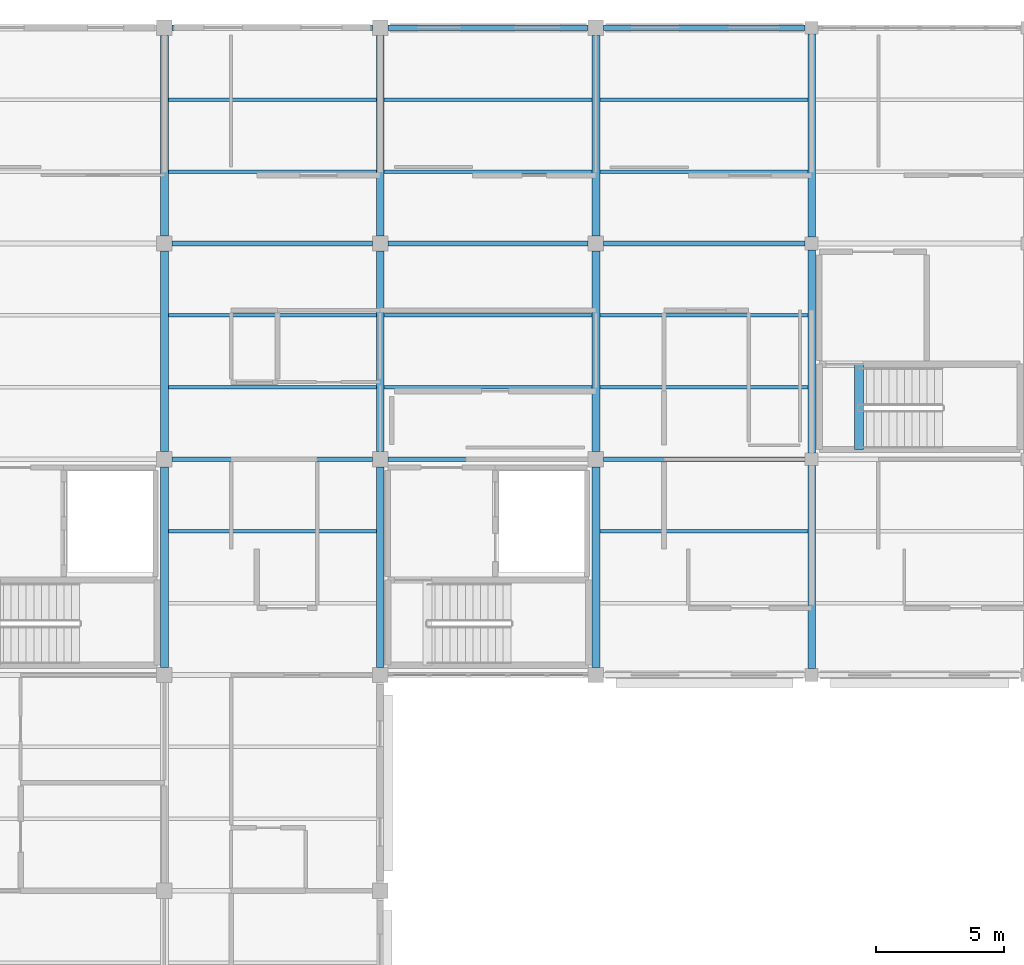
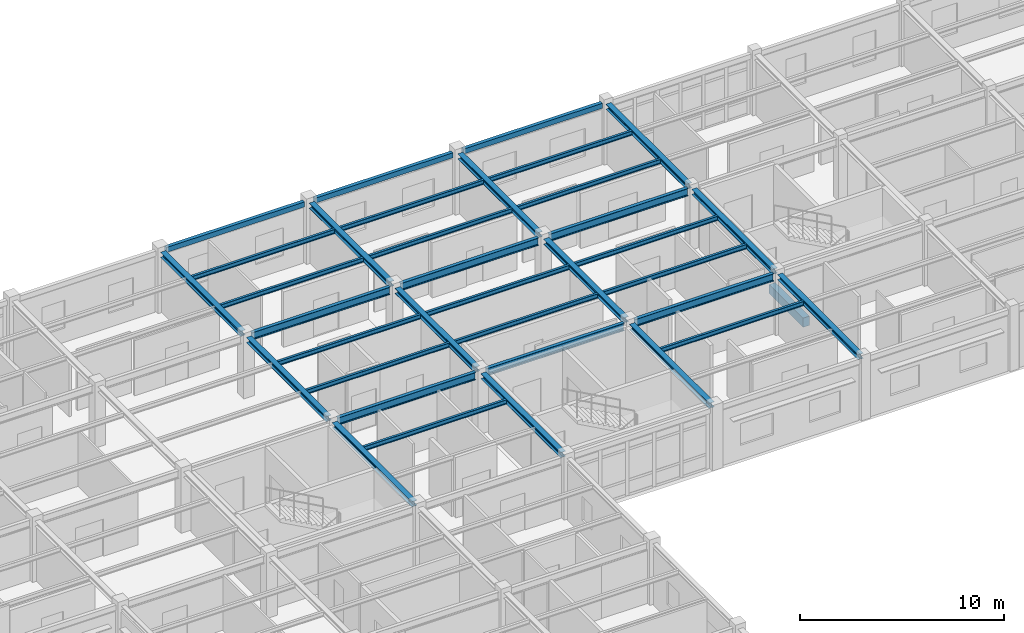
# One storey, part 32 of 70: 36 beams.
"""IFC4 building model written with IfcOpenShell, lengths in metres."""

import ifcopenshell
import ifcopenshell.guid

model = None  # the IFC model being written
_history = None  # IfcOwnerHistory: only IFC2X3 demands one
_inside = {}  # id of a spatial element -> (the spatial element, [elements in it])
_under = {}  # id of a project, library or spatial element -> (it, [spatial elements below it])
_declared = {}  # id of a project -> (the project, [libraries it declares])
_typed = {}  # id of a type object -> (the type object, [elements of that type])
_made_of = {}  # id of a material, layer set ... -> (it, [elements and type objects made of it])


def new_model(schema):
    """Start an empty IFC model of exactly this schema.

    Asked for "IFC4X3", IfcOpenShell would pick the latest addendum, in which some entities
    have other attributes; the version numbers below select the first issue.
    IFC2X3 requires an IfcOwnerHistory on every rooted entity: one is made here for all.
    """
    global model, _history
    if schema == "IFC4X3":
        model = ifcopenshell.file(schema_version=(4, 3, 0, 0))
    else:
        model = ifcopenshell.file(schema=schema)
    _inside.clear()
    _under.clear()
    _declared.clear()
    _typed.clear()
    _made_of.clear()
    _history = None
    if model.schema == "IFC2X3":
        org = make("IfcOrganization", Name="unknown")
        user = make(
            "IfcPersonAndOrganization",
            ThePerson=make("IfcPerson", FamilyName="unknown"),
            TheOrganization=org,
        )
        app = make(
            "IfcApplication",
            ApplicationDeveloper=org,
            Version="unknown",
            ApplicationFullName="unknown",
            ApplicationIdentifier="unknown",
        )
        _history = make(
            "IfcOwnerHistory",
            OwningUser=user,
            OwningApplication=app,
            ChangeAction="ADDED",
            CreationDate=0,
        )
    return model


def make(cls, **values):
    """One entity of the class cls with the attributes given. An attribute that is None is left unset."""
    return model.create_entity(
        cls, **{name: value for name, value in values.items() if value is not None}
    )


def rooted(cls, **values):
    """An entity with a GlobalId (a new one), such as an element, a storey or a relation."""
    return make(cls, GlobalId=ifcopenshell.guid.new(), OwnerHistory=_history, **values)


def si_unit(unit_type, name, prefix=None):
    """IfcSIUnit, for example si_unit("LENGTHUNIT", "METRE", prefix="MILLI")."""
    return make("IfcSIUnit", UnitType=unit_type, Prefix=prefix, Name=name)


def assignment(units):
    """IfcUnitAssignment: the units of a project."""
    return None if units is None else make("IfcUnitAssignment", Units=units)


def point(xyz):
    """IfcCartesianPoint."""
    return None if xyz is None else make("IfcCartesianPoint", Coordinates=xyz)


def direction(xyz):
    """IfcDirection."""
    return None if xyz is None else make("IfcDirection", DirectionRatios=xyz)


def frame(location, z_axis=None, x_axis=None):
    """IfcAxis2Placement3D, a coordinate frame: its origin and axes. An axis left out is left unset."""
    return make(
        "IfcAxis2Placement3D",
        Location=point(location),
        Axis=direction(z_axis),
        RefDirection=direction(x_axis),
    )


def frame_2d(location, x_axis=None):
    """IfcAxis2Placement2D, a coordinate frame in the plane: its origin and x axis."""
    return make(
        "IfcAxis2Placement2D", Location=point(location), RefDirection=direction(x_axis)
    )


def origin():
    """The frame at (0, 0, 0) with its axes left unset."""
    return frame((0.0, 0.0, 0.0))


def origin_2d():
    """The frame at (0, 0) in the plane with its x axis left unset."""
    return frame_2d((0.0, 0.0))


def place(relative_to, where):
    """IfcLocalPlacement: puts the frame where relative to a parent placement (None: the world)."""
    return make(
        "IfcLocalPlacement", PlacementRelTo=relative_to, RelativePlacement=where
    )


def context(
    kind, dimensions, precision=None, world=None, true_north=None, identifier=None
):
    """IfcGeometricRepresentationContext, for example the 3D "Model" context."""
    return make(
        "IfcGeometricRepresentationContext",
        ContextIdentifier=identifier,
        ContextType=kind,
        CoordinateSpaceDimension=dimensions,
        Precision=precision,
        WorldCoordinateSystem=world,
        TrueNorth=true_north,
    )


def subcontext(parent, identifier, kind, view, scale=None):
    """IfcGeometricRepresentationSubContext, for example "Body" below "Model"."""
    return make(
        "IfcGeometricRepresentationSubContext",
        ContextIdentifier=identifier,
        ContextType=kind,
        ParentContext=parent,
        TargetScale=scale,
        TargetView=view,
    )


def project(units=None, contexts=None):
    """IfcProject with its units and contexts."""
    return rooted(
        "IfcProject",
        Name="project",
        RepresentationContexts=contexts,
        UnitsInContext=assignment(units),
    )


def spatial(cls, under=None, at=None, **own):
    """A site, building, storey or space (cls), placed at a placement, below another one or the project."""
    s = rooted(cls, ObjectPlacement=at, **own)
    if under is not None:
        _under.setdefault(under.id(), (under, []))[1].append(s)
    return s


def profile(cls, at=None, kind="AREA", **sizes):
    """A parametric profile (cls). Its sizes go by their IFC names, for example OverallWidth=200.0."""
    return make(cls, ProfileType=kind, Position=at, **sizes)


def rectangle(**sizes):
    """IfcRectangleProfileDef."""
    return profile("IfcRectangleProfileDef", **sizes)


def hollow_rectangle(**sizes):
    """IfcRectangleHollowProfileDef."""
    return profile("IfcRectangleHollowProfileDef", **sizes)


def i_section(**sizes):
    """IfcIShapeProfileDef."""
    return profile("IfcIShapeProfileDef", **sizes)


def extrude(swept, where, along, depth):
    """IfcExtrudedAreaSolid: the profile swept, set in the frame where, extruded along a direction by depth."""
    return make(
        "IfcExtrudedAreaSolid",
        SweptArea=swept,
        Position=where,
        ExtrudedDirection=direction(along),
        Depth=depth,
    )


def shape(context_of_items, identifier, shape_type, items):
    """IfcShapeRepresentation: the items that make up one representation, for example the "Body"."""
    return make(
        "IfcShapeRepresentation",
        ContextOfItems=context_of_items,
        RepresentationIdentifier=identifier,
        RepresentationType=shape_type,
        Items=items,
    )


def material(Name=None, Category=None):
    """IfcMaterial."""
    return make("IfcMaterial", Name=Name, Category=Category)


def material_profile(
    of_material, cross_section, Name=None, Category=None, Priority=None
):
    """IfcMaterialProfile: a cross section and its material."""
    return make(
        "IfcMaterialProfile",
        Name=Name,
        Material=of_material,
        Profile=cross_section,
        Priority=Priority,
        Category=Category,
    )


def profile_set(profiles, Name=None, composite=None):
    """IfcMaterialProfileSet."""
    return make(
        "IfcMaterialProfileSet",
        Name=Name,
        MaterialProfiles=profiles,
        CompositeProfile=composite,
    )


def made_of(thing, what):
    """Note that an element or type object is made of a material, layer set ...; save() writes the relation."""
    if what is not None:
        _made_of.setdefault(what.id(), (what, []))[1].append(thing)
    return thing


def type_object(cls, material=None, **own):
    """A type object (cls), such as IfcWallType, which elements share."""
    return made_of(rooted(cls, **own), material)


def element(
    cls,
    number,
    at=None,
    inside=None,
    cuts=None,
    type_object=None,
    material=None,
    context=None,
    identifier="Body",
    shape_type=None,
    held_by="IfcProductDefinitionShape",
    body=None,
    shapes=None,
    **own,
):
    """One element of the class cls, such as IfcWall. Its Tag is "e" and its number.

    at: its placement. inside: the storey or other place that contains it. cuts: it is an
    opening in that element (IfcRelVoidsElement). A single representation is given by context,
    identifier, shape_type and body (its items); several are given by shapes. held_by: the class
    of the entity that holds the representations. save() writes the other relations.
    """
    e = rooted(cls, Tag="e%d" % number, ObjectPlacement=at, **own)
    if body is not None:
        shapes = [shape(context, identifier, shape_type, body)]
    if shapes is not None:
        e.Representation = make(held_by, Representations=shapes)
    if inside is not None:
        _inside.setdefault(inside.id(), (inside, []))[1].append(e)
    if cuts is not None:
        rooted(
            "IfcRelVoidsElement", RelatingBuildingElement=cuts, RelatedOpeningElement=e
        )
    if type_object is not None:
        _typed.setdefault(type_object.id(), (type_object, []))[1].append(e)
    return made_of(e, material)


def aggregate(whole, parts):
    """IfcRelAggregates: a whole, such as a stair, and the parts it consists of."""
    return rooted("IfcRelAggregates", RelatingObject=whole, RelatedObjects=parts)


def save(model, path):
    """Write the relations noted so far, then the file.

    IfcRelAggregates (storeys below a building ...), IfcRelContainedInSpatialStructure (elements
    in a storey), IfcRelDefinesByType, IfcRelAssociatesMaterial and IfcRelDeclares: one each for
    every whole, place, type object, material and project.
    """
    for whole, parts in _under.values():
        aggregate(whole, parts)
    for where, things in _inside.values():
        rooted(
            "IfcRelContainedInSpatialStructure",
            RelatedElements=things,
            RelatingStructure=where,
        )
    for kind, things in _typed.values():
        rooted("IfcRelDefinesByType", RelatedObjects=things, RelatingType=kind)
    for what, things in _made_of.values():
        rooted("IfcRelAssociatesMaterial", RelatedObjects=things, RelatingMaterial=what)
    for by, libraries in _declared.values():
        rooted("IfcRelDeclares", RelatingContext=by, RelatedDefinitions=libraries)
    model.write(path)


model = new_model("IFC4")

# Units and contexts
model_context = context("Model", 3, precision=1e-05, world=origin(), true_north=direction((0.0, 1.0)))
body_context = subcontext(model_context, "Body", "Model", "MODEL_VIEW")
ifc_project = project(units=[si_unit("LENGTHUNIT", "METRE"), si_unit("AREAUNIT", "SQUARE_METRE"), si_unit("VOLUMEUNIT", "CUBIC_METRE"), si_unit("PLANEANGLEUNIT", "RADIAN"), si_unit("MASSUNIT", "GRAM", prefix="KILO")], contexts=[model_context])

# Site, building, storey
site_placement = place(None, origin())
site = spatial("IfcSite", under=ifc_project, at=site_placement, CompositionType="ELEMENT")
building_placement = place(site_placement, origin())
building = spatial("IfcBuilding", under=site, at=building_placement, Name="Bramfleet General Hospital", CompositionType="ELEMENT")
storey_placement = place(building_placement, frame((0.0, 0.0, 22.5)))
storey = spatial("IfcBuildingStorey", under=building, at=storey_placement, Name="L05", CompositionType="ELEMENT", Elevation=22.5)

# Beams
ifc_material_1 = material(Name="Steel S355", Category="steel")
ifc_material_profile_1 = material_profile(ifc_material_1, i_section(OverallWidth=0.300048828125, OverallDepth=0.31005859375, WebThickness=0.009033203125, FlangeThickness=0.015380859375, FilletRadius=0.027099609375, at=origin_2d()), Name="HEA 320")
ifc_profile_set_1 = profile_set([ifc_material_profile_1], Name="Steel S355")
beam_type_1 = type_object("IfcBeamType", Name="BM-HEA320", PredefinedType="BEAM", material=ifc_profile_set_1)
beam_1_placement = place(storey_placement, frame((109.199951171875, 92.699951171875, 3.465087890625), z_axis=(0.0, 1.0, 0.0), x_axis=(-1.0, 0.0, 0.0)))
element("IfcBeam", 1, at=beam_1_placement, inside=storey, type_object=beam_type_1, Name="L05 Grid Beam Y 13-11", PredefinedType="BEAM", context=body_context, shape_type="SweptSolid", body=[
    extrude(i_section(OverallWidth=0.300048828125, OverallDepth=0.31005859375, WebThickness=0.009033203125, FlangeThickness=0.015380859375, FilletRadius=0.027099609375, at=origin_2d()), origin(), (0.0, 0.0, 1.0), 7.800048828125),
])
beam_2_placement = place(storey_placement, frame((109.199951171875, 101.10009765625, 3.465087890625), z_axis=(0.0, 1.0, 0.0), x_axis=(-1.0, 0.0, 0.0)))
element("IfcBeam", 2, at=beam_2_placement, inside=storey, type_object=beam_type_1, Name="L05 Grid Beam Y 13-12", PredefinedType="BEAM", context=body_context, shape_type="SweptSolid", body=[
    extrude(i_section(OverallWidth=0.300048828125, OverallDepth=0.31005859375, WebThickness=0.009033203125, FlangeThickness=0.015380859375, FilletRadius=0.027099609375, at=origin_2d()), origin(), (0.0, 0.0, 1.0), 7.7998046875),
])
for number, where, z_axis, x_axis, name in (
    (3, (109.199951171875, 109.5, 3.465087890625), (0.0, 1.0, 0.0), (-1.0, 0.0, 0.0), "L05 Grid Beam Y 13-13"),
    (4, (117.60009765625, 92.699951171875, 3.465087890625), (0.0, 1.0, 0.0), (-1.0, 0.0, 0.0), "L05 Grid Beam Y 14-11"),
):
    element("IfcBeam", number, at=place(storey_placement, frame(where, z_axis=z_axis, x_axis=x_axis)), inside=storey, type_object=beam_type_1, Name=name, PredefinedType="BEAM", context=body_context, shape_type="SweptSolid", body=[
        extrude(i_section(OverallWidth=0.300048828125, OverallDepth=0.31005859375, WebThickness=0.009033203125, FlangeThickness=0.015380859375, FilletRadius=0.027099609375, at=origin_2d()), origin(), (0.0, 0.0, 1.0), 7.800048828125),
    ])
beam_3_placement = place(storey_placement, frame((117.60009765625, 101.10009765625, 3.465087890625), z_axis=(0.0, 1.0, 0.0), x_axis=(-1.0, 0.0, 0.0)))
element("IfcBeam", 5, at=beam_3_placement, inside=storey, type_object=beam_type_1, Name="L05 Grid Beam Y 14-12", PredefinedType="BEAM", context=body_context, shape_type="SweptSolid", body=[
    extrude(i_section(OverallWidth=0.300048828125, OverallDepth=0.31005859375, WebThickness=0.009033203125, FlangeThickness=0.015380859375, FilletRadius=0.027099609375, at=origin_2d()), origin(), (0.0, 0.0, 1.0), 7.7998046875),
])
for number, where, z_axis, x_axis, name in (
    (6, (117.60009765625, 109.5, 3.465087890625), (0.0, 1.0, 0.0), (-1.0, 0.0, 0.0), "L05 Grid Beam Y 14-13"),
    (7, (126.0, 92.699951171875, 3.465087890625), (0.0, 1.0, 0.0), (-1.0, 0.0, 0.0), "L05 Grid Beam Y 15-11"),
):
    element("IfcBeam", number, at=place(storey_placement, frame(where, z_axis=z_axis, x_axis=x_axis)), inside=storey, type_object=beam_type_1, Name=name, PredefinedType="BEAM", context=body_context, shape_type="SweptSolid", body=[
        extrude(i_section(OverallWidth=0.300048828125, OverallDepth=0.31005859375, WebThickness=0.009033203125, FlangeThickness=0.015380859375, FilletRadius=0.027099609375, at=origin_2d()), origin(), (0.0, 0.0, 1.0), 7.800048828125),
    ])
beam_4_placement = place(storey_placement, frame((126.0, 101.10009765625, 3.465087890625), z_axis=(0.0, 1.0, 0.0), x_axis=(-1.0, 0.0, 0.0)))
element("IfcBeam", 8, at=beam_4_placement, inside=storey, type_object=beam_type_1, Name="L05 Grid Beam Y 15-12", PredefinedType="BEAM", context=body_context, shape_type="SweptSolid", body=[
    extrude(i_section(OverallWidth=0.300048828125, OverallDepth=0.31005859375, WebThickness=0.009033203125, FlangeThickness=0.015380859375, FilletRadius=0.027099609375, at=origin_2d()), origin(), (0.0, 0.0, 1.0), 7.7998046875),
])
beam_5_placement = place(storey_placement, frame((126.0, 109.5, 3.465087890625), z_axis=(0.0, 1.0, 0.0), x_axis=(-1.0, 0.0, 0.0)))
element("IfcBeam", 9, at=beam_5_placement, inside=storey, type_object=beam_type_1, Name="L05 Grid Beam Y 15-13", PredefinedType="BEAM", context=body_context, shape_type="SweptSolid", body=[
    extrude(i_section(OverallWidth=0.300048828125, OverallDepth=0.31005859375, WebThickness=0.009033203125, FlangeThickness=0.015380859375, FilletRadius=0.027099609375, at=origin_2d()), origin(), (0.0, 0.0, 1.0), 7.800048828125),
])
beam_6_placement = place(storey_placement, frame((134.39990234375, 92.64990234375, 3.465087890625), z_axis=(0.0, 1.0, 0.0), x_axis=(-1.0, 0.0, 0.0)))
element("IfcBeam", 10, at=beam_6_placement, inside=storey, type_object=beam_type_1, Name="L05 Grid Beam Y 16-11", PredefinedType="BEAM", context=body_context, shape_type="SweptSolid", body=[
    extrude(i_section(OverallWidth=0.300048828125, OverallDepth=0.31005859375, WebThickness=0.009033203125, FlangeThickness=0.015380859375, FilletRadius=0.027099609375, at=origin_2d()), origin(), (0.0, 0.0, 1.0), 7.900146484375),
])
beam_7_placement = place(storey_placement, frame((134.39990234375, 101.050048828125, 3.465087890625), z_axis=(0.0, 1.0, 0.0), x_axis=(-1.0, 0.0, 0.0)))
element("IfcBeam", 11, at=beam_7_placement, inside=storey, type_object=beam_type_1, Name="L05 Grid Beam Y 16-12", PredefinedType="BEAM", context=body_context, shape_type="SweptSolid", body=[
    extrude(i_section(OverallWidth=0.300048828125, OverallDepth=0.31005859375, WebThickness=0.009033203125, FlangeThickness=0.015380859375, FilletRadius=0.027099609375, at=origin_2d()), origin(), (0.0, 0.0, 1.0), 7.89990234375),
])
beam_8_placement = place(storey_placement, frame((134.39990234375, 109.449951171875, 3.465087890625), z_axis=(0.0, 1.0, 0.0), x_axis=(-1.0, 0.0, 0.0)))
element("IfcBeam", 12, at=beam_8_placement, inside=storey, type_object=beam_type_1, Name="L05 Grid Beam Y 16-13", PredefinedType="BEAM", context=body_context, shape_type="SweptSolid", body=[
    extrude(i_section(OverallWidth=0.300048828125, OverallDepth=0.31005859375, WebThickness=0.009033203125, FlangeThickness=0.015380859375, FilletRadius=0.027099609375, at=origin_2d()), origin(), (0.0, 0.0, 1.0), 7.900146484375),
])
ifc_material_profile_2 = material_profile(ifc_material_1, i_section(OverallWidth=0.135009765625, OverallDepth=0.27001953125, WebThickness=0.006591796875, FlangeThickness=0.01025390625, FilletRadius=0.014892578125, at=origin_2d()), Name="IPE 270")
ifc_profile_set_2 = profile_set([ifc_material_profile_2], Name="Steel S355")
beam_type_2 = type_object("IfcBeamType", Name="BM-IPE270", PredefinedType="JOIST", material=ifc_profile_set_2)
for number, where, z_axis, x_axis, name in (
    (13, (109.35009765625, 98.0, 3.485107421875), (1.0, 0.0, 0.0), (0.0, 1.0, 0.0), "L05 Secondary Joist 13-11-2"),
    (14, (109.35009765625, 103.60009765625, 3.485107421875), (1.0, 0.0, 0.0), (0.0, 1.0, 0.0), "L05 Secondary Joist 13-12-1"),
    (15, (109.35009765625, 106.39990234375, 3.485107421875), (1.0, 0.0, 0.0), (0.0, 1.0, 0.0), "L05 Secondary Joist 13-12-2"),
    (16, (109.35009765625, 112.0, 3.485107421875), (1.0, 0.0, 0.0), (0.0, 1.0, 0.0), "L05 Secondary Joist 13-13-1"),
    (17, (109.35009765625, 114.800048828125, 3.485107421875), (1.0, 0.0, 0.0), (0.0, 1.0, 0.0), "L05 Secondary Joist 13-13-2"),
):
    element("IfcBeam", number, at=place(storey_placement, frame(where, z_axis=z_axis, x_axis=x_axis)), inside=storey, type_object=beam_type_2, Name=name, PredefinedType="JOIST", context=body_context, shape_type="SweptSolid", body=[
        extrude(i_section(OverallWidth=0.135009765625, OverallDepth=0.27001953125, WebThickness=0.006591796875, FlangeThickness=0.01025390625, FilletRadius=0.014892578125, at=origin_2d()), origin(), (0.0, 0.0, 1.0), 8.099853515625),
    ])
for number, where, z_axis, x_axis, name in (
    (18, (117.75, 103.60009765625, 3.485107421875), (1.0, 0.0, 0.0), (0.0, 1.0, 0.0), "L05 Secondary Joist 14-12-1"),
    (19, (117.75, 106.39990234375, 3.485107421875), (1.0, 0.0, 0.0), (0.0, 1.0, 0.0), "L05 Secondary Joist 14-12-2"),
    (20, (117.75, 112.0, 3.485107421875), (1.0, 0.0, 0.0), (0.0, 1.0, 0.0), "L05 Secondary Joist 14-13-1"),
    (21, (117.75, 114.800048828125, 3.485107421875), (1.0, 0.0, 0.0), (0.0, 1.0, 0.0), "L05 Secondary Joist 14-13-2"),
    (22, (126.14990234375, 98.0, 3.485107421875), (1.0, 0.0, 0.0), (0.0, 1.0, 0.0), "L05 Secondary Joist 15-11-2"),
    (23, (126.14990234375, 103.60009765625, 3.485107421875), (1.0, 0.0, 0.0), (0.0, 1.0, 0.0), "L05 Secondary Joist 15-12-1"),
    (24, (126.14990234375, 106.39990234375, 3.485107421875), (1.0, 0.0, 0.0), (0.0, 1.0, 0.0), "L05 Secondary Joist 15-12-2"),
    (25, (126.14990234375, 112.0, 3.485107421875), (1.0, 0.0, 0.0), (0.0, 1.0, 0.0), "L05 Secondary Joist 15-13-1"),
    (26, (126.14990234375, 114.800048828125, 3.485107421875), (1.0, 0.0, 0.0), (0.0, 1.0, 0.0), "L05 Secondary Joist 15-13-2"),
):
    element("IfcBeam", number, at=place(storey_placement, frame(where, z_axis=z_axis, x_axis=x_axis)), inside=storey, type_object=beam_type_2, Name=name, PredefinedType="JOIST", context=body_context, shape_type="SweptSolid", body=[
        extrude(i_section(OverallWidth=0.135009765625, OverallDepth=0.27001953125, WebThickness=0.006591796875, FlangeThickness=0.01025390625, FilletRadius=0.014892578125, at=origin_2d()), origin(), (0.0, 0.0, 1.0), 8.10009765625),
    ])
ifc_material_profile_3 = material_profile(ifc_material_1, i_section(OverallWidth=0.18994140625, OverallDepth=0.449951171875, WebThickness=0.009521484375, FlangeThickness=0.0146484375, FilletRadius=0.02099609375, at=origin_2d()), Name="IPE 450")
ifc_profile_set_3 = profile_set([ifc_material_profile_3], Name="Steel S355")
beam_type_3 = type_object("IfcBeamType", Name="BM-IPE450", PredefinedType="BEAM", material=ifc_profile_set_3)
for number, where, z_axis, x_axis, name in (
    (27, (109.5, 100.800048828125, 3.39501953125), (1.0, 0.0, 0.0), (0.0, 1.0, 0.0), "L05 Grid Beam X 13-12"),
    (28, (109.5, 109.199951171875, 3.39501953125), (1.0, 0.0, 0.0), (0.0, 1.0, 0.0), "L05 Grid Beam X 13-13"),
    (29, (117.89990234375, 100.800048828125, 3.39501953125), (1.0, 0.0, 0.0), (0.0, 1.0, 0.0), "L05 Grid Beam X 14-12"),
    (30, (117.89990234375, 109.199951171875, 3.39501953125), (1.0, 0.0, 0.0), (0.0, 1.0, 0.0), "L05 Grid Beam X 14-13"),
):
    element("IfcBeam", number, at=place(storey_placement, frame(where, z_axis=z_axis, x_axis=x_axis)), inside=storey, type_object=beam_type_3, Name=name, PredefinedType="BEAM", context=body_context, shape_type="SweptSolid", body=[
        extrude(i_section(OverallWidth=0.18994140625, OverallDepth=0.449951171875, WebThickness=0.009521484375, FlangeThickness=0.0146484375, FilletRadius=0.02099609375, at=origin_2d()), origin(), (0.0, 0.0, 1.0), 7.800048828125),
    ])
for number, where, z_axis, x_axis, name in (
    (31, (126.300048828125, 100.800048828125, 3.39501953125), (1.0, 0.0, 0.0), (0.0, 1.0, 0.0), "L05 Grid Beam X 15-12"),
    (32, (126.300048828125, 109.199951171875, 3.39501953125), (1.0, 0.0, 0.0), (0.0, 1.0, 0.0), "L05 Grid Beam X 15-13"),
):
    element("IfcBeam", number, at=place(storey_placement, frame(where, z_axis=z_axis, x_axis=x_axis)), inside=storey, type_object=beam_type_3, Name=name, PredefinedType="BEAM", context=body_context, shape_type="SweptSolid", body=[
        extrude(i_section(OverallWidth=0.18994140625, OverallDepth=0.449951171875, WebThickness=0.009521484375, FlangeThickness=0.0146484375, FilletRadius=0.02099609375, at=origin_2d()), origin(), (0.0, 0.0, 1.0), 7.849853515625),
    ])
ifc_material_2 = material(Name="Concrete C35/45", Category="concrete")
ifc_material_profile_4 = material_profile(ifc_material_2, rectangle(XDim=0.35009765625, YDim=0.550048828125, at=origin_2d()), Name="RC BM 550x350")
ifc_profile_set_4 = profile_set([ifc_material_profile_4], Name="Concrete C35/45")
beam_type_4 = type_object("IfcBeamType", Name="BM-RC550", PredefinedType="BEAM", material=ifc_profile_set_4)
beam_9_placement = place(storey_placement, frame((136.239990234375, 101.179931640625, -0.27490234375), z_axis=(0.0, 1.0, 0.0), x_axis=(-1.0, 0.0, 0.0)))
element("IfcBeam", 33, at=beam_9_placement, inside=storey, type_object=beam_type_4, Name="L05 C9 Stairwell Trimmer Beam", PredefinedType="BEAM", context=body_context, shape_type="SweptSolid", body=[
    extrude(rectangle(XDim=0.35009765625, YDim=0.550048828125, at=origin_2d()), origin(), (0.0, 0.0, 1.0), 3.320068359375),
])
ifc_material_profile_5 = material_profile(ifc_material_1, hollow_rectangle(XDim=0.199951171875, YDim=0.300048828125, WallThickness=0.012451171875, at=origin_2d()), Name="RHS 300x200x12.5")
ifc_profile_set_5 = profile_set([ifc_material_profile_5], Name="Steel S355")
beam_type_5 = type_object("IfcBeamType", Name="BM-RHS300", PredefinedType="SPANDREL", material=ifc_profile_set_5)
for number, where, z_axis, x_axis, name in (
    (34, (109.5, 117.60009765625, 3.469970703125), (1.0, 0.0, 0.0), (0.0, 1.0, 0.0), "L05 Grid Beam X 13-14"),
    (35, (117.89990234375, 117.60009765625, 3.469970703125), (1.0, 0.0, 0.0), (0.0, 1.0, 0.0), "L05 Grid Beam X 14-14"),
):
    element("IfcBeam", number, at=place(storey_placement, frame(where, z_axis=z_axis, x_axis=x_axis)), inside=storey, type_object=beam_type_5, Name=name, PredefinedType="SPANDREL", context=body_context, shape_type="SweptSolid", body=[
        extrude(hollow_rectangle(XDim=0.199951171875, YDim=0.300048828125, WallThickness=0.012451171875, at=origin_2d()), origin(), (0.0, 0.0, 1.0), 7.800048828125),
    ])
beam_10_placement = place(storey_placement, frame((126.300048828125, 117.60009765625, 3.469970703125), z_axis=(1.0, 0.0, 0.0), x_axis=(0.0, 1.0, 0.0)))
element("IfcBeam", 36, at=beam_10_placement, inside=storey, type_object=beam_type_5, Name="L05 Grid Beam X 15-14", PredefinedType="SPANDREL", context=body_context, shape_type="SweptSolid", body=[
    extrude(hollow_rectangle(XDim=0.199951171875, YDim=0.300048828125, WallThickness=0.012451171875, at=origin_2d()), origin(), (0.0, 0.0, 1.0), 7.849853515625),
])

save(model, "model.ifc")
